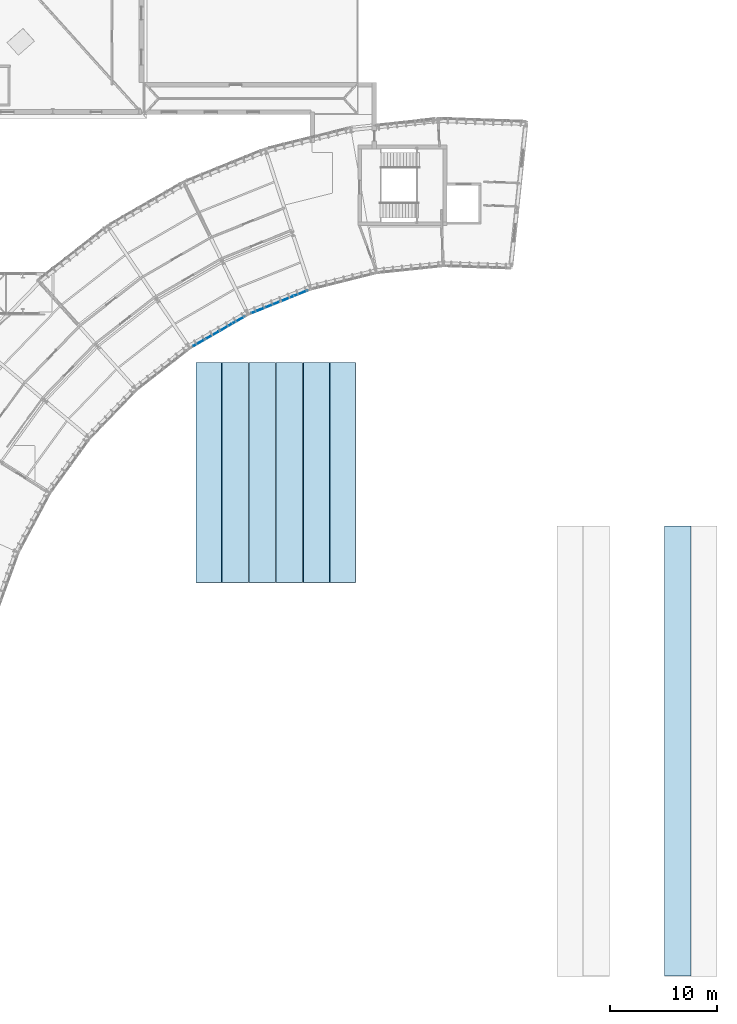
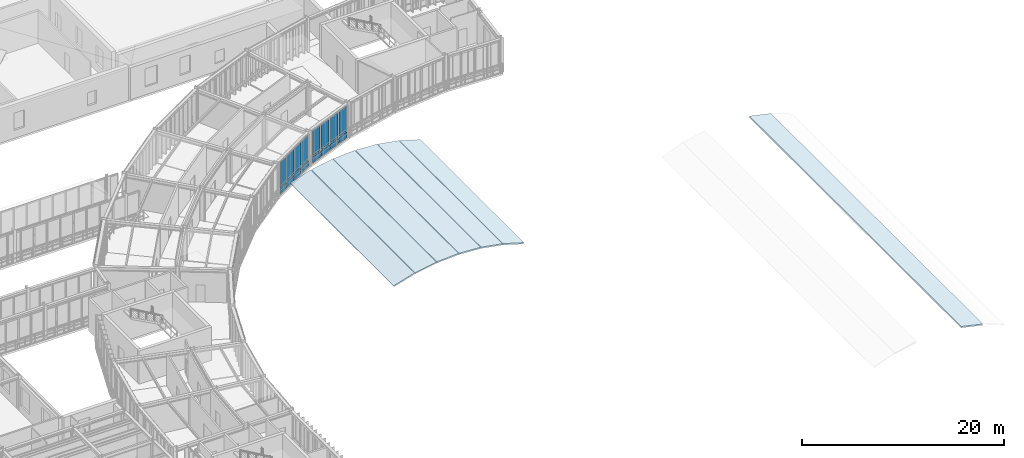
# One storey, part 30 of 57: 16 plates, 7 slabs, 2 elements without a shape of their own.
"""IFC4 building model written with IfcOpenShell, lengths in metres."""

from ifc_helpers import new_model, si_unit, direction, frame, origin, origin_2d, place, context, subcontext, project, spatial, polyline, rectangle, outline, extrude, material, layer, layer_set, type_object, element, aggregate, save


model = new_model("IFC4")

# Units and contexts
model_context = context("Model", 3, precision=1e-05, world=origin(), true_north=direction((0.0, 1.0)))
body_context = subcontext(model_context, "Body", "Model", "MODEL_VIEW")
ifc_project = project(units=[si_unit("LENGTHUNIT", "METRE"), si_unit("AREAUNIT", "SQUARE_METRE"), si_unit("VOLUMEUNIT", "CUBIC_METRE"), si_unit("PLANEANGLEUNIT", "RADIAN"), si_unit("MASSUNIT", "GRAM", prefix="KILO"), si_unit("THERMODYNAMICTEMPERATUREUNIT", "KELVIN"), si_unit("POWERUNIT", "WATT")], contexts=[model_context])

# Site, building, storey
site_placement = place(None, origin())
site = spatial("IfcSite", under=ifc_project, at=site_placement, CompositionType="ELEMENT")
building_placement = place(site_placement, origin())
building = spatial("IfcBuilding", under=site, at=building_placement, Name="Solvatero Civic Police Headquarters", CompositionType="ELEMENT")
storey_placement = place(building_placement, frame((0.0, 0.0, 9.300048828125)))
storey = spatial("IfcBuildingStorey", under=building, at=storey_placement, Name="L02", CompositionType="ELEMENT", Elevation=9.300048828125)

# Curtain wall, plates
ifc_material_1 = material(Name="Anodized Bronze Aluminium", Category="aluminium")
ifc_layer_1 = layer(ifc_material_1, 0.179931640625)
ifc_layer_set_1 = layer_set([ifc_layer_1], Name="Anodized Bronze Aluminium")
curtain_wall_type = type_object("IfcCurtainWallType", Name="CW-ARC-IN", PredefinedType="USERDEFINED", material=ifc_layer_set_1)
curtain_wall_1_placement = place(storey_placement, origin())
curtain_wall_1 = element("IfcCurtainWall", 1, at=curtain_wall_1_placement, inside=storey, type_object=curtain_wall_type, Name="Curtain Wall CW-R2-L02-ARC-IN-B04", ObjectType="UNITISED", PredefinedType="USERDEFINED")
ifc_material_2 = material(Name="Triple Low-E Laminated Glass", Category="glass")
ifc_layer_2 = layer(ifc_material_2, 0.0380859375)
ifc_layer_set_2 = layer_set([ifc_layer_2], Name="Triple Low-E Laminated Glass")
plate_type_1 = type_object("IfcPlateType", Name="CWP-GLZ-38", PredefinedType="CURTAIN_PANEL", material=ifc_layer_set_2)
plate_1_placement = place(storey_placement, frame((79.164794921875, 68.551025390625, 0.91015625), z_axis=(0.0, 0.0, 1.0), x_axis=(-0.927183854567, -0.374606593416, 0.0)))
plate_1 = element("IfcPlate", 2, at=plate_1_placement, type_object=plate_type_1, Name="CW-R2-L02-ARC-IN-B04 Vision Glazing 1", PredefinedType="CURTAIN_PANEL", context=body_context, shape_type="SweptSolid", body=[
    extrude(rectangle(XDim=1.26513671875, YDim=0.0380859375, at=origin_2d()), origin(), (0.0, 0.0, 1.0), 2.969970703125),
])
plate_2_placement = place(storey_placement, frame((76.484619140625, 67.46826171875, 0.91015625), z_axis=(0.0, 0.0, 1.0), x_axis=(-0.927183854567, -0.374606593416, 0.0)))
plate_2 = element("IfcPlate", 3, at=plate_2_placement, type_object=plate_type_1, Name="CW-R2-L02-ARC-IN-B04 Vision Glazing 3", PredefinedType="CURTAIN_PANEL", context=body_context, shape_type="SweptSolid", body=[
    extrude(rectangle(XDim=1.26513671875, YDim=0.0380859375, at=origin_2d()), origin(), (0.0, 0.0, 1.0), 2.969970703125),
])

curtain_wall_2_placement = place(storey_placement, origin())
curtain_wall_2 = element("IfcCurtainWall", 4, at=curtain_wall_2_placement, inside=storey, type_object=curtain_wall_type, Name="Curtain Wall CW-R2-L02-ARC-IN-B05", ObjectType="UNITISED", PredefinedType="USERDEFINED")
plate_3_placement = place(storey_placement, frame((73.364013671875, 66.05908203125, 0.91015625), z_axis=(0.0, 0.0, 1.0), x_axis=(-0.866025403784, -0.5, 0.0)))
plate_3 = element("IfcPlate", 5, at=plate_3_placement, type_object=plate_type_1, Name="CW-R2-L02-ARC-IN-B05 Vision Glazing 1", PredefinedType="CURTAIN_PANEL", context=body_context, shape_type="SweptSolid", body=[
    extrude(rectangle(XDim=1.25048828125, YDim=0.0380859375, at=origin_2d()), origin(), (0.0, 0.0, 1.0), 2.969970703125),
])
plate_4_placement = place(storey_placement, frame((70.886474609375, 64.628662109375, 0.91015625), z_axis=(0.0, 0.0, 1.0), x_axis=(-0.866025403784, -0.5, 0.0)))
plate_4 = element("IfcPlate", 6, at=plate_4_placement, type_object=plate_type_1, Name="CW-R2-L02-ARC-IN-B05 Vision Glazing 3", PredefinedType="CURTAIN_PANEL", context=body_context, shape_type="SweptSolid", body=[
    extrude(rectangle(XDim=1.25048828125, YDim=0.0380859375, at=origin_2d()), origin(), (0.0, 0.0, 1.0), 2.969970703125),
])

# Plate
ifc_material_3 = material(Name="Acoustic Ballistic Laminated Glass", Category="glass")
ifc_layer_3 = layer(ifc_material_3, 0.0439453125)
ifc_layer_set_3 = layer_set([ifc_layer_3], Name="Acoustic Ballistic Laminated Glass")
plate_type_2 = type_object("IfcPlateType", Name="CWP-GLZ-44", PredefinedType="CURTAIN_PANEL", material=ifc_layer_set_3)
plate_5_placement = place(storey_placement, frame((77.82470703125, 68.009765625, 0.91015625), z_axis=(0.0, 0.0, 1.0), x_axis=(-0.927183854567, -0.374606593416, 0.0)))
plate_5 = element("IfcPlate", 7, at=plate_5_placement, type_object=plate_type_2, Name="CW-R2-L02-ARC-IN-B04 Vision Glazing 2", PredefinedType="CURTAIN_PANEL", context=body_context, shape_type="SweptSolid", body=[
    extrude(rectangle(XDim=1.26513671875, YDim=0.0439453125, at=origin_2d()), origin(), (0.0, 0.0, 1.0), 2.969970703125),
])

plate_6_placement = place(storey_placement, frame((75.144775390625, 66.927001953125, 0.91015625), z_axis=(0.0, 0.0, 1.0), x_axis=(-0.927183854567, -0.374606593416, 0.0)))
plate_6 = element("IfcPlate", 8, at=plate_6_placement, type_object=plate_type_2, Name="CW-R2-L02-ARC-IN-B04 Vision Glazing 4", PredefinedType="CURTAIN_PANEL", context=body_context, shape_type="SweptSolid", body=[
    extrude(rectangle(XDim=1.26513671875, YDim=0.0439453125, at=origin_2d()), origin(), (0.0, 0.0, 1.0), 2.969970703125),
])

plate_7_placement = place(storey_placement, frame((72.125244140625, 65.34375, 0.91015625), z_axis=(0.0, 0.0, 1.0), x_axis=(-0.866025403784, -0.5, 0.0)))
plate_7 = element("IfcPlate", 9, at=plate_7_placement, type_object=plate_type_2, Name="CW-R2-L02-ARC-IN-B05 Vision Glazing 2", PredefinedType="CURTAIN_PANEL", context=body_context, shape_type="SweptSolid", body=[
    extrude(rectangle(XDim=1.25048828125, YDim=0.0439453125, at=origin_2d()), origin(), (0.0, 0.0, 1.0), 2.969970703125),
])

plate_8_placement = place(storey_placement, frame((69.6474609375, 63.913330078125, 0.91015625), z_axis=(0.0, 0.0, 1.0), x_axis=(-0.866025403784, -0.5, 0.0)))
plate_8 = element("IfcPlate", 10, at=plate_8_placement, type_object=plate_type_2, Name="CW-R2-L02-ARC-IN-B05 Vision Glazing 4", PredefinedType="CURTAIN_PANEL", context=body_context, shape_type="SweptSolid", body=[
    extrude(rectangle(XDim=1.25048828125, YDim=0.0439453125, at=origin_2d()), origin(), (0.0, 0.0, 1.0), 2.969970703125),
])

ifc_material_4 = material(Name="Insulated Bronze Aluminium Spandrel", Category="aluminium")
ifc_layer_4 = layer(ifc_material_4, 0.06005859375)
ifc_layer_set_4 = layer_set([ifc_layer_4], Name="Insulated Bronze Aluminium Spandrel")
plate_type_3 = type_object("IfcPlateType", Name="CWP-SPN-60", PredefinedType="CURTAIN_PANEL", material=ifc_layer_set_4)
plate_9_placement = place(storey_placement, frame((79.164794921875, 68.551025390625, 0.06005859375), z_axis=(0.0, 0.0, 1.0), x_axis=(-0.927183854567, -0.374606593416, 0.0)))
plate_9 = element("IfcPlate", 11, at=plate_9_placement, type_object=plate_type_3, Name="CW-R2-L02-ARC-IN-B04 Spandrel Panel 1", PredefinedType="CURTAIN_PANEL", context=body_context, shape_type="SweptSolid", body=[
    extrude(rectangle(XDim=1.26513671875, YDim=0.06005859375, at=origin_2d()), origin(), (0.0, 0.0, 1.0), 0.72998046875),
])

plate_10_placement = place(storey_placement, frame((76.484619140625, 67.46826171875, 0.06005859375), z_axis=(0.0, 0.0, 1.0), x_axis=(-0.927183854567, -0.374606593416, 0.0)))
plate_10 = element("IfcPlate", 12, at=plate_10_placement, type_object=plate_type_3, Name="CW-R2-L02-ARC-IN-B04 Spandrel Panel 3", PredefinedType="CURTAIN_PANEL", context=body_context, shape_type="SweptSolid", body=[
    extrude(rectangle(XDim=1.26513671875, YDim=0.06005859375, at=origin_2d()), origin(), (0.0, 0.0, 1.0), 0.72998046875),
])

plate_11_placement = place(storey_placement, frame((73.364013671875, 66.05908203125, 0.06005859375), z_axis=(0.0, 0.0, 1.0), x_axis=(-0.866025403784, -0.5, 0.0)))
plate_11 = element("IfcPlate", 13, at=plate_11_placement, type_object=plate_type_3, Name="CW-R2-L02-ARC-IN-B05 Spandrel Panel 1", PredefinedType="CURTAIN_PANEL", context=body_context, shape_type="SweptSolid", body=[
    extrude(rectangle(XDim=1.25048828125, YDim=0.06005859375, at=origin_2d()), origin(), (0.0, 0.0, 1.0), 0.72998046875),
])

plate_12_placement = place(storey_placement, frame((70.886474609375, 64.628662109375, 0.06005859375), z_axis=(0.0, 0.0, 1.0), x_axis=(-0.866025403784, -0.5, 0.0)))
plate_12 = element("IfcPlate", 14, at=plate_12_placement, type_object=plate_type_3, Name="CW-R2-L02-ARC-IN-B05 Spandrel Panel 3", PredefinedType="CURTAIN_PANEL", context=body_context, shape_type="SweptSolid", body=[
    extrude(rectangle(XDim=1.25048828125, YDim=0.06005859375, at=origin_2d()), origin(), (0.0, 0.0, 1.0), 0.72998046875),
])

ifc_material_5 = material(Name="Limestone Veneer Spandrel Panel", Category="masonry")
ifc_layer_5 = layer(ifc_material_5, 0.074951171875)
ifc_layer_set_5 = layer_set([ifc_layer_5], Name="Limestone Veneer Spandrel Panel")
plate_type_4 = type_object("IfcPlateType", Name="CWP-SPN-75", PredefinedType="CURTAIN_PANEL", material=ifc_layer_set_5)
plate_13_placement = place(storey_placement, frame((77.82470703125, 68.009765625, 0.06005859375), z_axis=(0.0, 0.0, 1.0), x_axis=(-0.927183854567, -0.374606593416, 0.0)))
plate_13 = element("IfcPlate", 15, at=plate_13_placement, type_object=plate_type_4, Name="CW-R2-L02-ARC-IN-B04 Spandrel Panel 2", PredefinedType="CURTAIN_PANEL", context=body_context, shape_type="SweptSolid", body=[
    extrude(rectangle(XDim=1.26513671875, YDim=0.074951171875, at=origin_2d()), origin(), (0.0, 0.0, 1.0), 0.72998046875),
])

plate_14_placement = place(storey_placement, frame((75.144775390625, 66.927001953125, 0.06005859375), z_axis=(0.0, 0.0, 1.0), x_axis=(-0.927183854567, -0.374606593416, 0.0)))
plate_14 = element("IfcPlate", 16, at=plate_14_placement, type_object=plate_type_4, Name="CW-R2-L02-ARC-IN-B04 Spandrel Panel 4", PredefinedType="CURTAIN_PANEL", context=body_context, shape_type="SweptSolid", body=[
    extrude(rectangle(XDim=1.26513671875, YDim=0.074951171875, at=origin_2d()), origin(), (0.0, 0.0, 1.0), 0.72998046875),
])

aggregate(curtain_wall_1, [plate_9, plate_1, plate_13, plate_5, plate_10, plate_2, plate_14, plate_6])

plate_15_placement = place(storey_placement, frame((72.125244140625, 65.34375, 0.06005859375), z_axis=(0.0, 0.0, 1.0), x_axis=(-0.866025403784, -0.5, 0.0)))
plate_15 = element("IfcPlate", 17, at=plate_15_placement, type_object=plate_type_4, Name="CW-R2-L02-ARC-IN-B05 Spandrel Panel 2", PredefinedType="CURTAIN_PANEL", context=body_context, shape_type="SweptSolid", body=[
    extrude(rectangle(XDim=1.25048828125, YDim=0.074951171875, at=origin_2d()), origin(), (0.0, 0.0, 1.0), 0.72998046875),
])

plate_16_placement = place(storey_placement, frame((69.6474609375, 63.913330078125, 0.06005859375), z_axis=(0.0, 0.0, 1.0), x_axis=(-0.866025403784, -0.5, 0.0)))
plate_16 = element("IfcPlate", 18, at=plate_16_placement, type_object=plate_type_4, Name="CW-R2-L02-ARC-IN-B05 Spandrel Panel 4", PredefinedType="CURTAIN_PANEL", context=body_context, shape_type="SweptSolid", body=[
    extrude(rectangle(XDim=1.25048828125, YDim=0.074951171875, at=origin_2d()), origin(), (0.0, 0.0, 1.0), 0.72998046875),
])

aggregate(curtain_wall_2, [plate_11, plate_3, plate_15, plate_7, plate_12, plate_4, plate_16, plate_8])

# Slabs
ifc_material_6 = material(Name="Concrete C35/45", Category="concrete")
ifc_layer_6 = layer(ifc_material_6, 0.159912109375)
ifc_layer_set_6 = layer_set([ifc_layer_6], Name="Concrete C35/45")
slab_type = type_object("IfcSlabType", Name="SLB-RF-VLT-160", PredefinedType="ROOF", material=ifc_layer_set_6)
slab_1_placement = place(storey_placement, frame((113.08447265625, 4.840087890625, 4.305419921875), z_axis=(0.218490375273, 0.0, 0.975839103497), x_axis=(0.975839103497, 0.0, -0.218490375273)))
element("IfcSlab", 19, at=slab_1_placement, inside=storey, type_object=slab_type, Name="VLT1 Barrel Vault Roof Slab Facet 7", PredefinedType="ROOF", context=body_context, shape_type="SweptSolid", body=[
    extrude(outline(polyline([(0.0, 0.0), (2.5018532678716623, 0.0), (2.5018532678716623, 41.9599609375), (0.0, 41.9599609375), (0.0, 0.0)])), origin(), (0.0, 0.0, -1.0), 0.159912109375),
])
slab_2_placement = place(storey_placement, frame((69.358642578125, 41.5400390625, 2.288818359375), z_axis=(-0.287347885566, 0.0, 0.957826285221), x_axis=(0.957826285221, 0.0, 0.287347885566)))
element("IfcSlab", 20, at=slab_2_placement, inside=storey, type_object=slab_type, Name="VLT2 Barrel Vault Roof Slab Facet 3", PredefinedType="ROOF", context=body_context, shape_type="SweptSolid", body=[
    extrude(outline(polyline([(0.0, 0.0), (2.480082576457511, 0.0), (2.480082576457511, 20.5400390625), (0.0, 20.5400390625), (0.0, 0.0)])), origin(), (0.0, 0.0, -1.0), 0.159912109375),
])
slab_3_placement = place(storey_placement, frame((71.79248046875, 41.5400390625, 3.01513671875), z_axis=(-0.174049276945, 0.0, 0.984736944161), x_axis=(0.984736944161, 0.0, 0.174049276945)))
element("IfcSlab", 21, at=slab_3_placement, inside=storey, type_object=slab_type, Name="VLT2 Barrel Vault Roof Slab Facet 4", PredefinedType="ROOF", context=body_context, shape_type="SweptSolid", body=[
    extrude(outline(polyline([(0.0, 0.0), (2.4799909116401575, 0.0), (2.4799909116401575, 20.5400390625), (0.0, 20.5400390625), (0.0, 0.0)])), origin(), (0.0, 0.0, -1.0), 0.159912109375),
])
slab_4_placement = place(storey_placement, frame((74.294189453125, 41.5400390625, 3.45361328125), z_axis=(-0.058277669273, 0.0, 0.998300412333), x_axis=(0.998300412333, 0.0, 0.058277669273)))
element("IfcSlab", 22, at=slab_4_placement, inside=storey, type_object=slab_type, Name="VLT2 Barrel Vault Roof Slab Facet 5", PredefinedType="ROOF", context=body_context, shape_type="SweptSolid", body=[
    extrude(outline(polyline([(0.0, 0.0), (2.4800451322455817, 0.0), (2.4800451322455817, 20.5400390625), (0.0, 20.5400390625), (0.0, 0.0)])), origin(), (0.0, 0.0, -1.0), 0.159912109375),
])
slab_5_placement = place(storey_placement, frame((76.829833984375, 41.5400390625, 3.59814453125), z_axis=(0.058271942615, 0.0, 0.998300746621), x_axis=(0.998300746621, 0.0, -0.058271942615)))
element("IfcSlab", 23, at=slab_5_placement, inside=storey, type_object=slab_type, Name="VLT2 Barrel Vault Roof Slab Facet 6", PredefinedType="ROOF", context=body_context, shape_type="SweptSolid", body=[
    extrude(outline(polyline([(0.0, 0.0), (2.4802888579729956, 0.0), (2.4802888579729956, 20.540039062500004), (0.0, 20.540039062500004), (0.0, 0.0)])), origin(), (0.0, 0.0, -1.0), 0.159912109375),
])
slab_6_placement = place(storey_placement, frame((79.365234375, 41.5400390625, 3.44677734375), z_axis=(0.174032405939, 0.0, 0.984739925911), x_axis=(0.984739925911, 0.0, -0.174032405939)))
element("IfcSlab", 24, at=slab_6_placement, inside=storey, type_object=slab_type, Name="VLT2 Barrel Vault Roof Slab Facet 7", PredefinedType="ROOF", context=body_context, shape_type="SweptSolid", body=[
    extrude(outline(polyline([(0.0, 0.0), (2.480231326297166, 0.0), (2.480231326297166, 20.5400390625), (0.0, 20.5400390625), (0.0, 0.0)])), origin(), (0.0, 0.0, -1.0), 0.159912109375),
])
slab_7_placement = place(storey_placement, frame((81.86572265625, 41.5400390625, 3.00146484375), z_axis=(0.287347885566, 0.0, 0.957826285221), x_axis=(0.957826285221, 0.0, -0.287347885566)))
element("IfcSlab", 25, at=slab_7_placement, inside=storey, type_object=slab_type, Name="VLT2 Barrel Vault Roof Slab Facet 8", PredefinedType="ROOF", context=body_context, shape_type="SweptSolid", body=[
    extrude(outline(polyline([(0.0, 0.0), (2.480082576457511, 0.0), (2.480082576457511, 20.5400390625), (0.0, 20.5400390625), (0.0, 0.0)])), origin(), (0.0, 0.0, -1.0), 0.159912109375),
])

save(model, "model.ifc")
